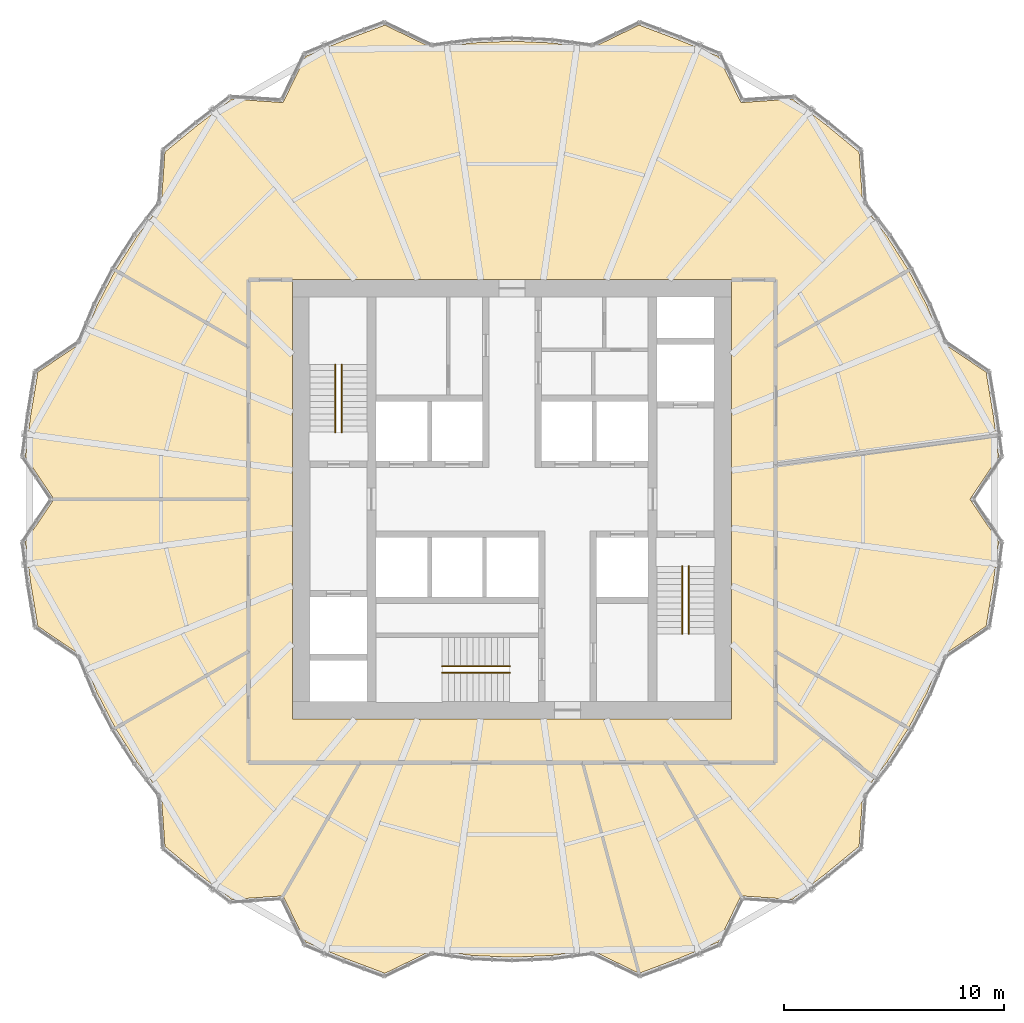
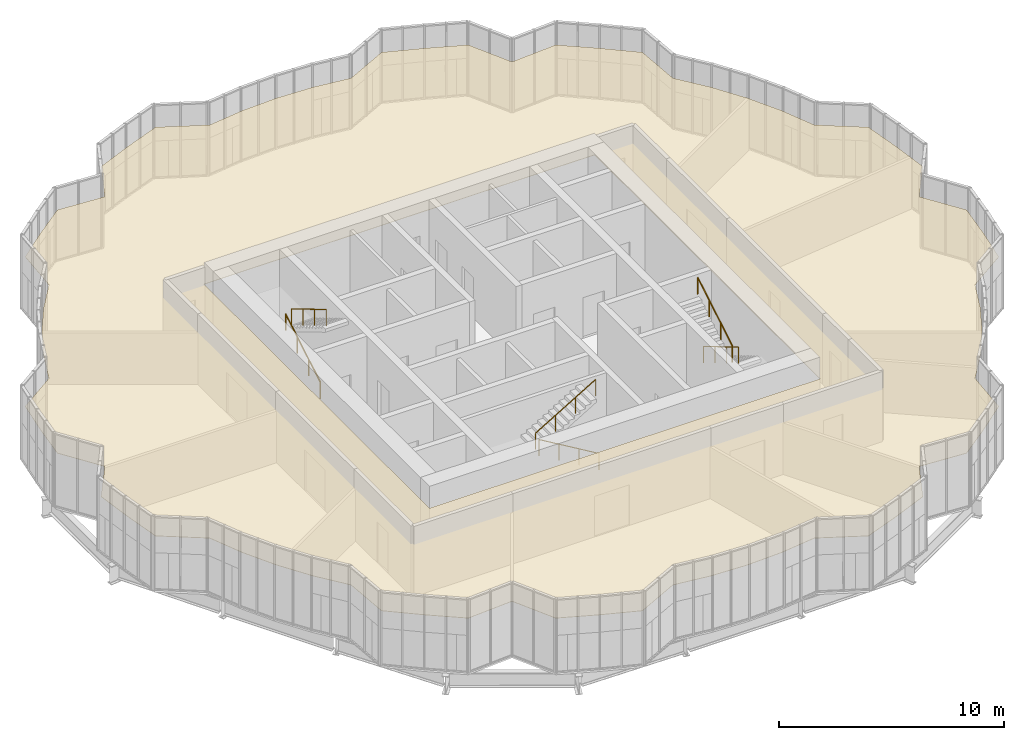
# One storey, part 22 of 22: 6 railings, 1 covering.
"""IFC4 building model written with IfcOpenShell, lengths in metres."""

from ifc_helpers import new_model, si_unit, direction, frame, origin, origin_2d, place, context, subcontext, project, spatial, polyline, circle, outline, extrude, material, layer, layer_set, type_object, element, save


model = new_model("IFC4")

# Units and contexts
model_context = context("Model", 3, precision=1e-05, world=origin(), true_north=direction((0.0, 1.0)))
body_context = subcontext(model_context, "Body", "Model", "MODEL_VIEW")
ifc_project = project(units=[si_unit("LENGTHUNIT", "METRE"), si_unit("AREAUNIT", "SQUARE_METRE"), si_unit("VOLUMEUNIT", "CUBIC_METRE"), si_unit("PLANEANGLEUNIT", "RADIAN"), si_unit("MASSUNIT", "GRAM", prefix="KILO")], contexts=[model_context])

# Site, building, storey
site_placement = place(None, origin())
site = spatial("IfcSite", under=ifc_project, at=site_placement, CompositionType="ELEMENT")
building_placement = place(site_placement, origin())
building = spatial("IfcBuilding", under=site, at=building_placement, Name="Golbaran Civic Tower", CompositionType="ELEMENT")
storey_placement = place(building_placement, frame((0.0, 0.0, 29.0)))
storey = spatial("IfcBuildingStorey", under=building, at=storey_placement, Name="L06", CompositionType="ELEMENT", Elevation=29.0)

# Railings
ifc_material_1 = material(Name="Stainless steel", Category="steel")
railing_type = type_object("IfcRailingType", Name="STAIR HANDRAIL 900", PredefinedType="HANDRAIL", material=ifc_material_1)
railing_1_placement = place(storey_placement, frame((-8.050048828125, 3.050048828125, 0.166748046875)))
element("IfcRailing", 1, at=railing_1_placement, inside=storey, type_object=railing_type, Name="Stair S1 handrail flight 1 L06", PredefinedType="HANDRAIL", context=body_context, shape_type="SweptSolid", body=[
    extrude(circle(Radius=0.02392578125, at=origin_2d()), frame((0.0, 0.0, 0.8759765625), z_axis=(0.0, 0.859290745958, 0.51148745235), x_axis=(-1.0, 0.0, 0.0)), (0.0, 0.0, 1.0), 3.584228515625),
    extrude(circle(Radius=0.02099609375, at=origin_2d()), origin(), (0.0, 0.0, 1.0), 0.851806640625),
    extrude(circle(Radius=0.02099609375, at=origin_2d()), frame((0.0, 1.026611328125, 0.611083984375)), (0.0, 0.0, 1.0), 0.851806640625),
    extrude(circle(Radius=0.02099609375, at=origin_2d()), frame((0.0, 2.05322265625, 1.22216796875)), (0.0, 0.0, 1.0), 0.851806640625),
    extrude(circle(Radius=0.02099609375, at=origin_2d()), frame((0.0, 3.079833984375, 1.833251953125)), (0.0, 0.0, 1.0), 0.851806640625),
])
for number, where, name in (
    (2, (-7.75, 6.1298828125, 2.166748046875), "Stair S1 handrail flight 2 L06"),
    (3, (8.050048828125, -3.050048828125, 0.166748046875), "Stair S2 handrail flight 1 L06"),
):
    element("IfcRailing", number, at=place(storey_placement, frame(where)), inside=storey, type_object=railing_type, Name=name, PredefinedType="HANDRAIL", context=body_context, shape_type="SweptSolid", body=[
        extrude(circle(Radius=0.02392578125, at=origin_2d()), frame((0.0, 0.0, 0.8759765625), z_axis=(0.0, -0.859290745958, 0.51148745235), x_axis=(1.0, 0.0, 0.0)), (0.0, 0.0, 1.0), 3.584228515625),
        extrude(circle(Radius=0.02099609375, at=origin_2d()), origin(), (0.0, 0.0, 1.0), 0.851806640625),
        extrude(circle(Radius=0.02099609375, at=origin_2d()), frame((0.0, -1.026611328125, 0.611083984375)), (0.0, 0.0, 1.0), 0.851806640625),
        extrude(circle(Radius=0.02099609375, at=origin_2d()), frame((0.0, -2.05322265625, 1.22216796875)), (0.0, 0.0, 1.0), 0.851806640625),
        extrude(circle(Radius=0.02099609375, at=origin_2d()), frame((0.0, -3.079833984375, 1.833251953125)), (0.0, 0.0, 1.0), 0.851806640625),
    ])
railing_2_placement = place(storey_placement, frame((7.75, -6.1298828125, 2.166748046875)))
element("IfcRailing", 4, at=railing_2_placement, inside=storey, type_object=railing_type, Name="Stair S2 handrail flight 2 L06", PredefinedType="HANDRAIL", context=body_context, shape_type="SweptSolid", body=[
    extrude(circle(Radius=0.02392578125, at=origin_2d()), frame((0.0, 0.0, 0.8759765625), z_axis=(0.0, 0.859290745958, 0.51148745235), x_axis=(-1.0, 0.0, 0.0)), (0.0, 0.0, 1.0), 3.584228515625),
    extrude(circle(Radius=0.02099609375, at=origin_2d()), origin(), (0.0, 0.0, 1.0), 0.851806640625),
    extrude(circle(Radius=0.02099609375, at=origin_2d()), frame((0.0, 1.026611328125, 0.611083984375)), (0.0, 0.0, 1.0), 0.851806640625),
    extrude(circle(Radius=0.02099609375, at=origin_2d()), frame((0.0, 2.05322265625, 1.22216796875)), (0.0, 0.0, 1.0), 0.851806640625),
    extrude(circle(Radius=0.02099609375, at=origin_2d()), frame((0.0, 3.079833984375, 1.833251953125)), (0.0, 0.0, 1.0), 0.851806640625),
])
railing_3_placement = place(storey_placement, frame((-0.10009765625, -7.89990234375, 0.166748046875)))
element("IfcRailing", 5, at=railing_3_placement, inside=storey, type_object=railing_type, Name="Stair S3 handrail flight 1 L06", PredefinedType="HANDRAIL", context=body_context, shape_type="SweptSolid", body=[
    extrude(circle(Radius=0.02392578125, at=origin_2d()), frame((0.0, 0.0, 0.8759765625), z_axis=(-0.859290745958, 0.0, 0.51148745235), x_axis=(0.0, -1.0, 0.0)), (0.0, 0.0, 1.0), 3.584228515625),
    extrude(circle(Radius=0.02099609375, at=origin_2d()), origin(), (0.0, 0.0, 1.0), 0.851806640625),
    extrude(circle(Radius=0.02099609375, at=origin_2d()), frame((-1.026611328125, 0.0, 0.611083984375)), (0.0, 0.0, 1.0), 0.851806640625),
    extrude(circle(Radius=0.02099609375, at=origin_2d()), frame((-2.05322265625, 0.0, 1.22216796875)), (0.0, 0.0, 1.0), 0.851806640625),
    extrude(circle(Radius=0.02099609375, at=origin_2d()), frame((-3.079833984375, 0.0, 1.833251953125)), (0.0, 0.0, 1.0), 0.851806640625),
])
railing_4_placement = place(storey_placement, frame((-3.179931640625, -7.60009765625, 2.166748046875)))
element("IfcRailing", 6, at=railing_4_placement, inside=storey, type_object=railing_type, Name="Stair S3 handrail flight 2 L06", PredefinedType="HANDRAIL", context=body_context, shape_type="SweptSolid", body=[
    extrude(circle(Radius=0.02392578125, at=origin_2d()), frame((0.0, 0.0, 0.8759765625), z_axis=(0.859290745958, 0.0, 0.51148745235), x_axis=(0.0, 1.0, 0.0)), (0.0, 0.0, 1.0), 3.584228515625),
    extrude(circle(Radius=0.02099609375, at=origin_2d()), origin(), (0.0, 0.0, 1.0), 0.851806640625),
    extrude(circle(Radius=0.02099609375, at=origin_2d()), frame((1.026611328125, 0.0, 0.611083984375)), (0.0, 0.0, 1.0), 0.851806640625),
    extrude(circle(Radius=0.02099609375, at=origin_2d()), frame((2.05322265625, 0.0, 1.22216796875)), (0.0, 0.0, 1.0), 0.851806640625),
    extrude(circle(Radius=0.02099609375, at=origin_2d()), frame((3.079833984375, 0.0, 1.833251953125)), (0.0, 0.0, 1.0), 0.851806640625),
])

# Covering
ifc_material_2 = material(Name="Mineral fibre tile on steel grid", Category="steel")
ifc_layer = layer(ifc_material_2, 0.02001953125, Name="Mineral fibre tile on steel grid")
ifc_layer_set = layer_set([ifc_layer], Name="Mineral fibre tile on steel grid")
covering_type = type_object("IfcCoveringType", Name="SUSPENDED CEILING 600 TILE 20", PredefinedType="CEILING", material=ifc_layer_set)
covering_placement = place(storey_placement, frame((0.0, 0.0, 2.800048828125)))
element("IfcCovering", 7, at=covering_placement, inside=storey, type_object=covering_type, Name="Suspended ceiling L06", PredefinedType="CEILING", context=body_context, shape_type="SweptSolid", body=[
    extrude(outline(polyline([(-19.59619140625, -7.13232421875), (-21.58935546875, -5.784912109375), (-21.908935546875, -3.863037109375), (-22.162109375, -1.93896484375), (-20.853759765625, 0.0), (-22.162109375, 1.93896484375), (-21.908935546875, 3.863037109375), (-21.58935546875, 5.784912109375), (-19.59619140625, 7.13232421875), (-18.89990234375, 8.813232421875), (-18.06005859375, 10.427001953125), (-17.08251953125, 11.961181640625), (-15.97509765625, 13.404541015625), (-15.804443359375, 15.804443359375), (-14.300048828125, 17.0419921875), (-12.76025390625, 18.2236328125), (-10.427001953125, 18.06005859375), (-9.40185546875, 20.16259765625), (-7.60888671875, 20.9052734375), (-5.784912109375, 21.58935546875), (-3.621337890625, 20.537109375), (-1.817626953125, 20.7744140625), (0.0, 20.853759765625), (1.817626953125, 20.7744140625), (3.621337890625, 20.537109375), (5.784912109375, 21.58935546875), (7.60888671875, 20.9052734375), (9.40185546875, 20.16259765625), (10.427001953125, 18.06005859375), (12.76025390625, 18.2236328125), (14.300048828125, 17.0419921875), (15.804443359375, 15.804443359375), (15.97509765625, 13.404541015625), (17.08251953125, 11.961181640625), (18.06005859375, 10.427001953125), (18.89990234375, 8.813232421875), (19.59619140625, 7.13232421875), (21.58935546875, 5.784912109375), (21.908935546875, 3.863037109375), (22.162109375, 1.93896484375), (20.853759765625, 0.0), (22.162109375, -1.93896484375), (21.908935546875, -3.863037109375), (21.58935546875, -5.784912109375), (19.59619140625, -7.13232421875), (18.89990234375, -8.813232421875), (18.06005859375, -10.427001953125), (17.08251953125, -11.961181640625), (15.97509765625, -13.404541015625), (15.804443359375, -15.804443359375), (14.300048828125, -17.0419921875), (12.76025390625, -18.2236328125), (10.427001953125, -18.06005859375), (9.40185546875, -20.16259765625), (7.60888671875, -20.9052734375), (5.784912109375, -21.58935546875), (3.621337890625, -20.537109375), (1.817626953125, -20.7744140625), (0.0, -20.853759765625), (-1.817626953125, -20.7744140625), (-3.621337890625, -20.537109375), (-5.784912109375, -21.58935546875), (-7.60888671875, -20.9052734375), (-9.40185546875, -20.16259765625), (-10.427001953125, -18.06005859375), (-12.76025390625, -18.2236328125), (-14.300048828125, -17.0419921875), (-15.804443359375, -15.804443359375), (-15.97509765625, -13.404541015625), (-17.08251953125, -11.961181640625), (-18.06005859375, -10.427001953125), (-18.89990234375, -8.813232421875), (-19.59619140625, -7.13232421875)]), holes=[polyline([(-10.0, 10.0), (-10.0, -10.0), (10.0, -10.0), (10.0, 10.0), (-10.0, 10.0)])]), origin(), (0.0, 0.0, 1.0), 0.02001953125),
])

save(model, "model.ifc")
